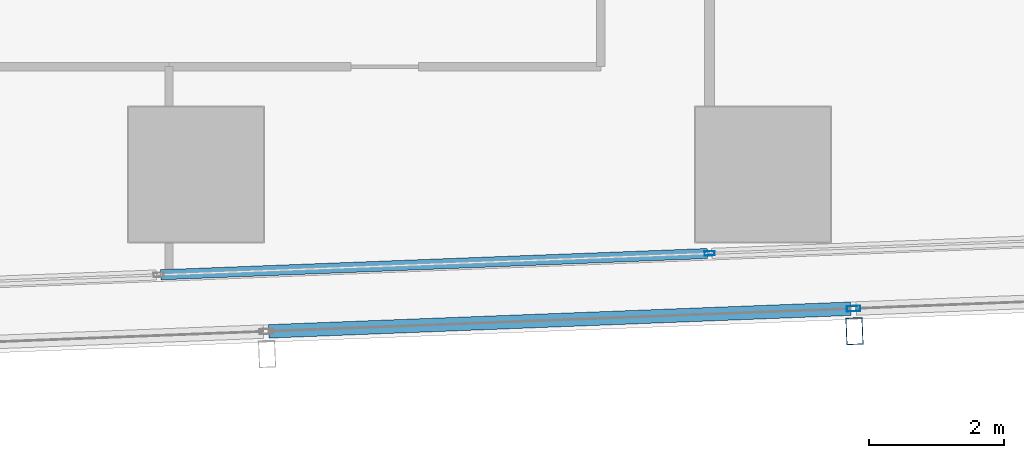
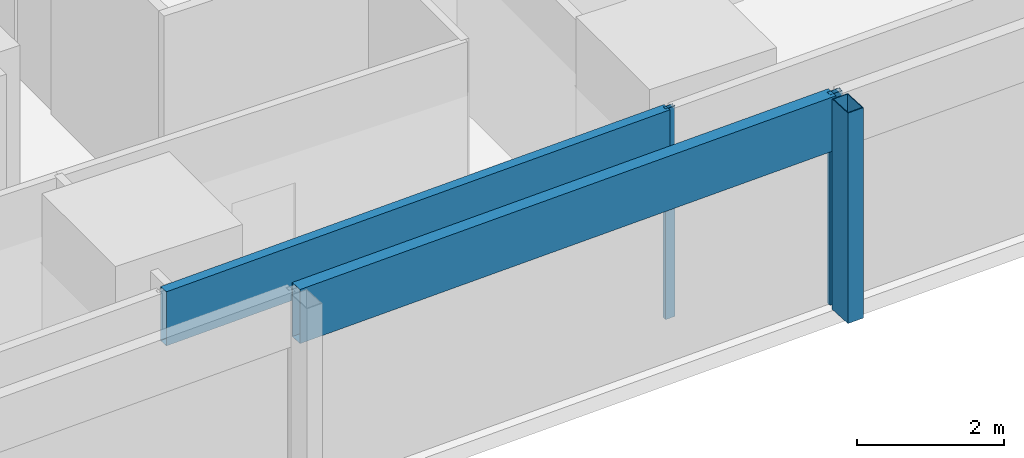
# One storey, part 8 of 36: 5 members, 2 elements without a shape of their own.
"""IFC4 building model written with IfcOpenShell, lengths in metres."""

from ifc_helpers import new_model, si_unit, direction, frame, origin, origin_2d, place, context, subcontext, project, spatial, hollow_rectangle, extrude, material, material_profile, profile_set, type_object, element, aggregate, save


model = new_model("IFC4")

# Units and contexts
model_context = context("Model", 3, precision=1e-05, world=origin(), true_north=direction((0.0, 1.0)))
body_context = subcontext(model_context, "Body", "Model", "MODEL_VIEW")
ifc_project = project(units=[si_unit("LENGTHUNIT", "METRE"), si_unit("AREAUNIT", "SQUARE_METRE"), si_unit("VOLUMEUNIT", "CUBIC_METRE"), si_unit("PLANEANGLEUNIT", "RADIAN"), si_unit("MASSUNIT", "GRAM", prefix="KILO")], contexts=[model_context])

# Site, building, storey
site_placement = place(None, origin())
site = spatial("IfcSite", under=ifc_project, at=site_placement, CompositionType="ELEMENT")
building_placement = place(site_placement, origin())
building = spatial("IfcBuilding", under=site, at=building_placement, Name="Rekha Terrace Tower", CompositionType="ELEMENT")
storey_placement = place(building_placement, frame((0.0, 0.0, 144.050048828125)))
storey = spatial("IfcBuildingStorey", under=building, at=storey_placement, Name="L36", CompositionType="ELEMENT", Elevation=144.050048828125)

# Curtain wall, member
ifc_material_1 = material(Name="Aluminium framing", Category="aluminium")
curtain_wall_type_1 = type_object("IfcCurtainWallType", Name="CW2 double skin outer glazing", PredefinedType="USERDEFINED", material=ifc_material_1)
curtain_wall_1_placement = place(storey_placement, origin())
curtain_wall_1 = element("IfcCurtainWall", 1, at=curtain_wall_1_placement, inside=storey, type_object=curtain_wall_type_1, Name="CW2 double skin outer glazing", ObjectType="DOUBLE SKIN OUTER GLAZING", PredefinedType="USERDEFINED")
ifc_material_2 = material(Name="Steel S355 with fluorocarbon finish", Category="steel")
ifc_material_profile_1 = material_profile(ifc_material_2, hollow_rectangle(XDim=0.25, YDim=0.39990234375, WallThickness=0.012451171875, at=origin_2d()), Name="RHS400x250x12.5")
ifc_profile_set_1 = profile_set([ifc_material_profile_1], Name="Steel S355 with fluorocarbon finish")
member_type_1 = type_object("IfcMemberType", Name="BL1 facade blade RHS 400 x 250", PredefinedType="USERDEFINED", material=ifc_profile_set_1)
member_1_placement = place(storey_placement, frame((60.1572265625, 14.480712890625, 0.0), z_axis=(0.0, 0.0, 1.0), x_axis=(0.999243494356, 0.038890088543, 0.0)))
member_1 = element("IfcMember", 2, at=member_1_placement, type_object=member_type_1, Name="Facade blade", ObjectType="FACADE BLADE", PredefinedType="USERDEFINED", context=body_context, shape_type="SweptSolid", body=[
    extrude(hollow_rectangle(XDim=0.25, YDim=0.39990234375, WallThickness=0.012451171875, at=origin_2d()), origin(), (0.0, 0.0, 1.0), 3.5),
])

# Curtain wall, members
curtain_wall_type_2 = type_object("IfcCurtainWallType", Name="CW1 double skin inner glazing", PredefinedType="USERDEFINED", material=ifc_material_1)
curtain_wall_2_placement = place(storey_placement, origin())
curtain_wall_2 = element("IfcCurtainWall", 3, at=curtain_wall_2_placement, inside=storey, type_object=curtain_wall_type_2, Name="CW1 double skin inner glazing", ObjectType="DOUBLE SKIN INNER GLAZING", PredefinedType="USERDEFINED")
ifc_material_3 = material(Name="Aluminium mullion section", Category="aluminium")
ifc_material_profile_2 = material_profile(ifc_material_3, hollow_rectangle(XDim=0.06494140625, YDim=0.14990234375, WallThickness=0.00390625, at=origin_2d()), Name="AL RHS 65x150")
ifc_profile_set_2 = profile_set([ifc_material_profile_2], Name="Aluminium mullion section")
member_type_2 = type_object("IfcMemberType", Name="CW1 mullion RHS 65 x 150", PredefinedType="MULLION", material=ifc_profile_set_2)
member_2_placement = place(storey_placement, frame((58.010498046875, 15.633056640625, 0.0), z_axis=(0.0, 0.0, 1.0), x_axis=(-0.038889971328, 0.999243498918, 0.0)))
member_2 = element("IfcMember", 4, at=member_2_placement, type_object=member_type_2, Name="CW1 mullion 5", PredefinedType="MULLION", context=body_context, shape_type="SweptSolid", body=[
    extrude(hollow_rectangle(XDim=0.06494140625, YDim=0.14990234375, WallThickness=0.00390625, at=origin_2d()), origin(), (0.0, 0.0, 1.0), 3.5),
])
ifc_material_4 = material(Name="Insulated aluminium spandrel box", Category="aluminium")
ifc_material_profile_3 = material_profile(ifc_material_4, hollow_rectangle(XDim=0.14990234375, YDim=0.89990234375, WallThickness=0.0029296875, at=origin_2d()), Name="AL SPANDREL BOX 150x900")
ifc_profile_set_3 = profile_set([ifc_material_profile_3], Name="Insulated aluminium spandrel box")
member_type_3 = type_object("IfcMemberType", Name="CW1 spandrel transom 150 x 900", PredefinedType="USERDEFINED", material=ifc_profile_set_3)
member_3_placement = place(storey_placement, frame((49.877197265625, 15.316650390625, 3.050048828125), z_axis=(0.999243949495, 0.038878392417, 0.0), x_axis=(-0.038878392417, 0.999243949495, 0.0)))
member_3 = element("IfcMember", 5, at=member_3_placement, type_object=member_type_3, Name="CW1 spandrel transom 4", ObjectType="TRANSOM", PredefinedType="USERDEFINED", context=body_context, shape_type="SweptSolid", body=[
    extrude(hollow_rectangle(XDim=0.14990234375, YDim=0.89990234375, WallThickness=0.0029296875, at=origin_2d()), origin(), (0.0, 0.0, 1.0), 8.10693359375),
])
aggregate(curtain_wall_2, [member_2, member_3])

# Member
ifc_material_profile_4 = material_profile(ifc_material_3, hollow_rectangle(XDim=0.080078125, YDim=0.199951171875, WallThickness=0.00390625, at=origin_2d()), Name="AL RHS 80x200")
ifc_profile_set_4 = profile_set([ifc_material_profile_4], Name="Aluminium mullion section")
member_type_4 = type_object("IfcMemberType", Name="CW2 mullion RHS 80 x 200", PredefinedType="MULLION", material=ifc_profile_set_4)
member_4_placement = place(storey_placement, frame((60.14404296875, 14.8154296875, 0.0), z_axis=(0.0, 0.0, 1.0), x_axis=(-0.038889971345, 0.999243498917, 0.0)))
member_4 = element("IfcMember", 6, at=member_4_placement, type_object=member_type_4, Name="CW2 mullion 5", PredefinedType="MULLION", context=body_context, shape_type="SweptSolid", body=[
    extrude(hollow_rectangle(XDim=0.080078125, YDim=0.199951171875, WallThickness=0.00390625, at=origin_2d()), origin(), (0.0, 0.0, 1.0), 3.5),
])

ifc_material_profile_5 = material_profile(ifc_material_4, hollow_rectangle(XDim=0.199951171875, YDim=0.89990234375, WallThickness=0.0029296875, at=origin_2d()), Name="AL SPANDREL BOX 200x900")
ifc_profile_set_5 = profile_set([ifc_material_profile_5], Name="Insulated aluminium spandrel box")
member_type_5 = type_object("IfcMemberType", Name="CW2 spandrel transom 200 x 900", PredefinedType="USERDEFINED", material=ifc_profile_set_5)
member_5_placement = place(storey_placement, frame((51.47900390625, 14.478271484375, 3.050048828125), z_axis=(0.999243481303, 0.038890423923, 0.0), x_axis=(-0.038890423923, 0.999243481303, 0.0)))
member_5 = element("IfcMember", 7, at=member_5_placement, type_object=member_type_5, Name="CW2 spandrel transom 4", ObjectType="TRANSOM", PredefinedType="USERDEFINED", context=body_context, shape_type="SweptSolid", body=[
    extrude(hollow_rectangle(XDim=0.199951171875, YDim=0.89990234375, WallThickness=0.0029296875, at=origin_2d()), origin(), (0.0, 0.0, 1.0), 8.6318359375),
])

aggregate(curtain_wall_1, [member_4, member_5, member_1])

save(model, "model.ifc")
